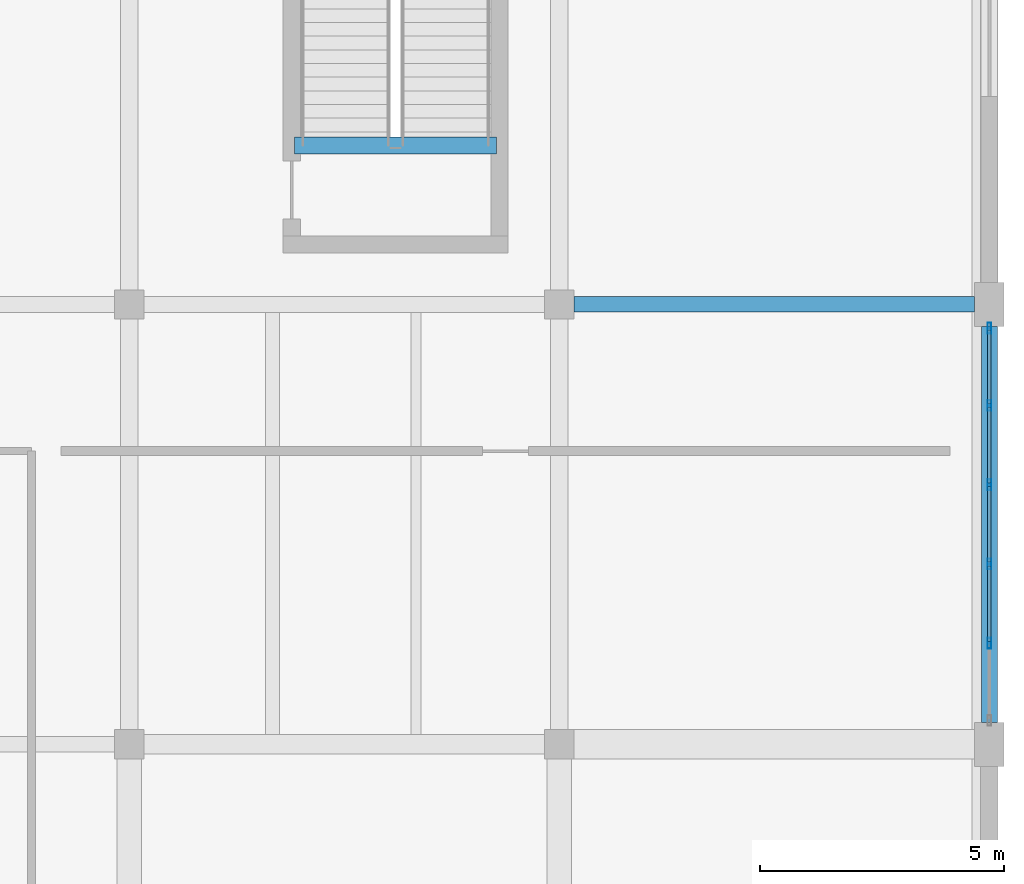
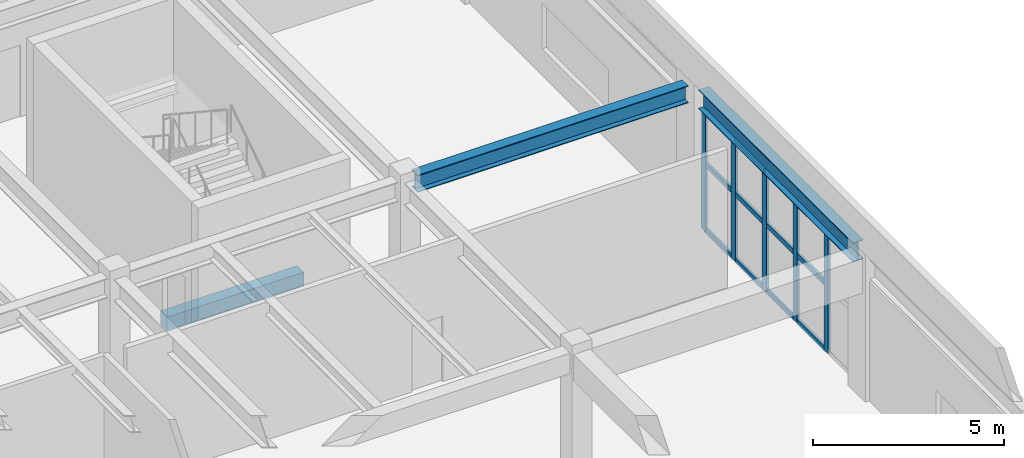
# One storey, part 55 of 96: 17 members, 3 beams, 1 element without a shape of its own.
"""IFC4 building model written with IfcOpenShell, lengths in metres."""

from ifc_helpers import new_model, si_unit, direction, frame, origin, origin_2d, place, context, subcontext, project, spatial, rectangle, hollow_rectangle, i_section, extrude, material, layer, layer_set, material_profile, profile_set, type_object, element, aggregate, save


model = new_model("IFC4")

# Units and contexts
model_context = context("Model", 3, precision=1e-05, world=origin(), true_north=direction((0.0, 1.0)))
body_context = subcontext(model_context, "Body", "Model", "MODEL_VIEW")
ifc_project = project(units=[si_unit("LENGTHUNIT", "METRE"), si_unit("AREAUNIT", "SQUARE_METRE"), si_unit("VOLUMEUNIT", "CUBIC_METRE"), si_unit("PLANEANGLEUNIT", "RADIAN"), si_unit("MASSUNIT", "GRAM", prefix="KILO")], contexts=[model_context])

# Site, building, storey
site_placement = place(None, origin())
site = spatial("IfcSite", under=ifc_project, at=site_placement, CompositionType="ELEMENT")
building_placement = place(site_placement, origin())
building = spatial("IfcBuilding", under=site, at=building_placement, Name="Vaelkrest Opera House", CompositionType="ELEMENT")
storey_placement = place(building_placement, frame((0.0, 0.0, 5.39990234375)))
storey = spatial("IfcBuildingStorey", under=building, at=storey_placement, Name="L01", CompositionType="ELEMENT", Elevation=5.39990234375)

# Beam
ifc_material_1 = material(Name="Steel A992 Gr50", Category="steel")
ifc_material_profile_1 = material_profile(ifc_material_1, i_section(OverallWidth=0.31494140625, OverallDepth=0.551025390625, WebThickness=0.01513671875, FlangeThickness=0.0244140625, at=origin_2d()), Name="W21X122")
ifc_profile_set_1 = profile_set([ifc_material_profile_1], Name="Steel A992 Gr50")
beam_type_1 = type_object("IfcBeamType", Name="B20", PredefinedType="BEAM", material=ifc_profile_set_1)
beam_1_placement = place(storey_placement, frame((77.89990234375, -19.800048828125, 4.2294921875), z_axis=(1.0, 0.0, 0.0), x_axis=(0.0, 1.0, 0.0)))
element("IfcBeam", 1, at=beam_1_placement, inside=storey, type_object=beam_type_1, Name="Beam BM-V4-L01-2132", PredefinedType="BEAM", context=body_context, shape_type="SweptSolid", body=[
    extrude(i_section(OverallWidth=0.31494140625, OverallDepth=0.551025390625, WebThickness=0.01513671875, FlangeThickness=0.0244140625, at=origin_2d()), origin(), (0.0, 0.0, 1.0), 8.2001953125),
])

# Curtain wall, members
ifc_material_2 = material(Name="Dark bronze anodized aluminium", Category="aluminium")
ifc_layer = layer(ifc_material_2, 0.199951171875)
ifc_layer_set = layer_set([ifc_layer], Name="Dark bronze anodized aluminium")
curtain_wall_type = type_object("IfcCurtainWallType", Name="CW03", PredefinedType="NOTDEFINED", material=ifc_layer_set)
curtain_wall_placement = place(storey_placement, origin())
curtain_wall = element("IfcCurtainWall", 2, at=curtain_wall_placement, inside=storey, type_object=curtain_wall_type, Name="Curtain wall CW-L01-160", PredefinedType="NOTDEFINED")
ifc_material_profile_2 = material_profile(ifc_material_2, hollow_rectangle(XDim=0.074951171875, YDim=0.219970703125, WallThickness=0.00439453125, at=origin_2d()), Name="CWM75X220")
ifc_profile_set_2 = profile_set([ifc_material_profile_2], Name="Dark bronze anodized aluminium")
member_type_1 = type_object("IfcMemberType", Name="CWM03", PredefinedType="MULLION", material=ifc_profile_set_2)
member_1_placement = place(storey_placement, frame((86.39990234375, -20.285400390625, 0.0), z_axis=(0.0, 0.0, 1.0), x_axis=(1.0, 0.0, 0.0)))
member_1 = element("IfcMember", 3, at=member_1_placement, type_object=member_type_1, Name="CW03 mullion 1", PredefinedType="MULLION", context=body_context, shape_type="SweptSolid", body=[
    extrude(hollow_rectangle(XDim=0.074951171875, YDim=0.219970703125, WallThickness=0.00439453125, at=origin_2d()), origin(), (0.0, 0.0, 1.0), 3.8291015625),
])
member_2_placement = place(storey_placement, frame((86.39990234375, -21.868896484375, 0.0), z_axis=(0.0, 0.0, 1.0), x_axis=(1.0, 0.0, 0.0)))
member_2 = element("IfcMember", 4, at=member_2_placement, type_object=member_type_1, Name="CW03 mullion 2", PredefinedType="MULLION", context=body_context, shape_type="SweptSolid", body=[
    extrude(hollow_rectangle(XDim=0.074951171875, YDim=0.219970703125, WallThickness=0.00439453125, at=origin_2d()), origin(), (0.0, 0.0, 1.0), 3.8291015625),
])
member_3_placement = place(storey_placement, frame((86.39990234375, -23.489501953125, 0.0), z_axis=(0.0, 0.0, 1.0), x_axis=(1.0, 0.0, 0.0)))
member_3 = element("IfcMember", 5, at=member_3_placement, type_object=member_type_1, Name="CW03 mullion 3", PredefinedType="MULLION", context=body_context, shape_type="SweptSolid", body=[
    extrude(hollow_rectangle(XDim=0.074951171875, YDim=0.219970703125, WallThickness=0.00439453125, at=origin_2d()), origin(), (0.0, 0.0, 1.0), 3.8291015625),
])
member_4_placement = place(storey_placement, frame((86.39990234375, -25.1103515625, 0.0), z_axis=(0.0, 0.0, 1.0), x_axis=(1.0, 0.0, 0.0)))
member_4 = element("IfcMember", 6, at=member_4_placement, type_object=member_type_1, Name="CW03 mullion 4", PredefinedType="MULLION", context=body_context, shape_type="SweptSolid", body=[
    extrude(hollow_rectangle(XDim=0.074951171875, YDim=0.219970703125, WallThickness=0.00439453125, at=origin_2d()), origin(), (0.0, 0.0, 1.0), 3.8291015625),
])
member_5_placement = place(storey_placement, frame((86.39990234375, -26.731201171875, 0.0), z_axis=(0.0, 0.0, 1.0), x_axis=(1.0, 0.0, 0.0)))
member_5 = element("IfcMember", 7, at=member_5_placement, type_object=member_type_1, Name="CW03 mullion 5", PredefinedType="MULLION", context=body_context, shape_type="SweptSolid", body=[
    extrude(hollow_rectangle(XDim=0.074951171875, YDim=0.219970703125, WallThickness=0.00439453125, at=origin_2d()), origin(), (0.0, 0.0, 1.0), 3.8291015625),
])
ifc_material_profile_3 = material_profile(ifc_material_2, hollow_rectangle(XDim=0.074951171875, YDim=0.159912109375, WallThickness=0.00439453125, at=origin_2d()), Name="CWT75X160")
ifc_profile_set_3 = profile_set([ifc_material_profile_3], Name="Dark bronze anodized aluminium")
member_type_2 = type_object("IfcMemberType", Name="CWT03", PredefinedType="USERDEFINED", material=ifc_profile_set_3)
member_6_placement = place(storey_placement, frame((86.39990234375, -20.322998046875, 0.03759765625), z_axis=(0.0, -1.0, 0.0), x_axis=(1.0, 0.0, 0.0)))
member_6 = element("IfcMember", 8, at=member_6_placement, type_object=member_type_2, Name="CW03 transom 1.1", ObjectType="TRANSOM", PredefinedType="USERDEFINED", context=body_context, shape_type="SweptSolid", body=[
    extrude(hollow_rectangle(XDim=0.074951171875, YDim=0.159912109375, WallThickness=0.00439453125, at=origin_2d()), origin(), (0.0, 0.0, 1.0), 1.50830078125),
])
member_7_placement = place(storey_placement, frame((86.39990234375, -20.322998046875, 2.150146484375), z_axis=(0.0, -1.0, 0.0), x_axis=(1.0, 0.0, 0.0)))
member_7 = element("IfcMember", 9, at=member_7_placement, type_object=member_type_2, Name="CW03 transom 1.2", ObjectType="TRANSOM", PredefinedType="USERDEFINED", context=body_context, shape_type="SweptSolid", body=[
    extrude(hollow_rectangle(XDim=0.074951171875, YDim=0.159912109375, WallThickness=0.00439453125, at=origin_2d()), origin(), (0.0, 0.0, 1.0), 1.50830078125),
])
member_8_placement = place(storey_placement, frame((86.39990234375, -20.322998046875, 3.79150390625), z_axis=(0.0, -1.0, 0.0), x_axis=(1.0, 0.0, 0.0)))
member_8 = element("IfcMember", 10, at=member_8_placement, type_object=member_type_2, Name="CW03 transom 1.3", ObjectType="TRANSOM", PredefinedType="USERDEFINED", context=body_context, shape_type="SweptSolid", body=[
    extrude(hollow_rectangle(XDim=0.074951171875, YDim=0.159912109375, WallThickness=0.00439453125, at=origin_2d()), origin(), (0.0, 0.0, 1.0), 1.50830078125),
])
member_9_placement = place(storey_placement, frame((86.39990234375, -21.90625, 0.03759765625), z_axis=(0.0, -1.0, 0.0), x_axis=(1.0, 0.0, 0.0)))
member_9 = element("IfcMember", 11, at=member_9_placement, type_object=member_type_2, Name="CW03 transom 2.1", ObjectType="TRANSOM", PredefinedType="USERDEFINED", context=body_context, shape_type="SweptSolid", body=[
    extrude(hollow_rectangle(XDim=0.074951171875, YDim=0.159912109375, WallThickness=0.00439453125, at=origin_2d()), origin(), (0.0, 0.0, 1.0), 1.5458984375),
])
member_10_placement = place(storey_placement, frame((86.39990234375, -21.90625, 2.150146484375), z_axis=(0.0, -1.0, 0.0), x_axis=(1.0, 0.0, 0.0)))
member_10 = element("IfcMember", 12, at=member_10_placement, type_object=member_type_2, Name="CW03 transom 2.2", ObjectType="TRANSOM", PredefinedType="USERDEFINED", context=body_context, shape_type="SweptSolid", body=[
    extrude(hollow_rectangle(XDim=0.074951171875, YDim=0.159912109375, WallThickness=0.00439453125, at=origin_2d()), origin(), (0.0, 0.0, 1.0), 1.5458984375),
])
member_11_placement = place(storey_placement, frame((86.39990234375, -21.90625, 3.79150390625), z_axis=(0.0, -1.0, 0.0), x_axis=(1.0, 0.0, 0.0)))
member_11 = element("IfcMember", 13, at=member_11_placement, type_object=member_type_2, Name="CW03 transom 2.3", ObjectType="TRANSOM", PredefinedType="USERDEFINED", context=body_context, shape_type="SweptSolid", body=[
    extrude(hollow_rectangle(XDim=0.074951171875, YDim=0.159912109375, WallThickness=0.00439453125, at=origin_2d()), origin(), (0.0, 0.0, 1.0), 1.5458984375),
])
member_12_placement = place(storey_placement, frame((86.39990234375, -23.527099609375, 0.03759765625), z_axis=(0.0, -1.0, 0.0), x_axis=(1.0, 0.0, 0.0)))
member_12 = element("IfcMember", 14, at=member_12_placement, type_object=member_type_2, Name="CW03 transom 3.1", ObjectType="TRANSOM", PredefinedType="USERDEFINED", context=body_context, shape_type="SweptSolid", body=[
    extrude(hollow_rectangle(XDim=0.074951171875, YDim=0.159912109375, WallThickness=0.00439453125, at=origin_2d()), origin(), (0.0, 0.0, 1.0), 1.5458984375),
])
member_13_placement = place(storey_placement, frame((86.39990234375, -23.527099609375, 2.150146484375), z_axis=(0.0, -1.0, 0.0), x_axis=(1.0, 0.0, 0.0)))
member_13 = element("IfcMember", 15, at=member_13_placement, type_object=member_type_2, Name="CW03 transom 3.2", ObjectType="TRANSOM", PredefinedType="USERDEFINED", context=body_context, shape_type="SweptSolid", body=[
    extrude(hollow_rectangle(XDim=0.074951171875, YDim=0.159912109375, WallThickness=0.00439453125, at=origin_2d()), origin(), (0.0, 0.0, 1.0), 1.5458984375),
])
member_14_placement = place(storey_placement, frame((86.39990234375, -23.527099609375, 3.79150390625), z_axis=(0.0, -1.0, 0.0), x_axis=(1.0, 0.0, 0.0)))
member_14 = element("IfcMember", 16, at=member_14_placement, type_object=member_type_2, Name="CW03 transom 3.3", ObjectType="TRANSOM", PredefinedType="USERDEFINED", context=body_context, shape_type="SweptSolid", body=[
    extrude(hollow_rectangle(XDim=0.074951171875, YDim=0.159912109375, WallThickness=0.00439453125, at=origin_2d()), origin(), (0.0, 0.0, 1.0), 1.5458984375),
])
member_15_placement = place(storey_placement, frame((86.39990234375, -25.14794921875, 0.03759765625), z_axis=(0.0, -1.0, 0.0), x_axis=(1.0, 0.0, 0.0)))
member_15 = element("IfcMember", 17, at=member_15_placement, type_object=member_type_2, Name="CW03 transom 4.1", ObjectType="TRANSOM", PredefinedType="USERDEFINED", context=body_context, shape_type="SweptSolid", body=[
    extrude(hollow_rectangle(XDim=0.074951171875, YDim=0.159912109375, WallThickness=0.00439453125, at=origin_2d()), origin(), (0.0, 0.0, 1.0), 1.545654296875),
])
member_16_placement = place(storey_placement, frame((86.39990234375, -25.14794921875, 2.150146484375), z_axis=(0.0, -1.0, 0.0), x_axis=(1.0, 0.0, 0.0)))
member_16 = element("IfcMember", 18, at=member_16_placement, type_object=member_type_2, Name="CW03 transom 4.2", ObjectType="TRANSOM", PredefinedType="USERDEFINED", context=body_context, shape_type="SweptSolid", body=[
    extrude(hollow_rectangle(XDim=0.074951171875, YDim=0.159912109375, WallThickness=0.00439453125, at=origin_2d()), origin(), (0.0, 0.0, 1.0), 1.545654296875),
])
member_17_placement = place(storey_placement, frame((86.39990234375, -25.14794921875, 3.79150390625), z_axis=(0.0, -1.0, 0.0), x_axis=(1.0, 0.0, 0.0)))
member_17 = element("IfcMember", 19, at=member_17_placement, type_object=member_type_2, Name="CW03 transom 4.3", ObjectType="TRANSOM", PredefinedType="USERDEFINED", context=body_context, shape_type="SweptSolid", body=[
    extrude(hollow_rectangle(XDim=0.074951171875, YDim=0.159912109375, WallThickness=0.00439453125, at=origin_2d()), origin(), (0.0, 0.0, 1.0), 1.545654296875),
])
aggregate(curtain_wall, [member_1, member_2, member_3, member_4, member_5, member_6, member_7, member_8, member_9, member_10, member_11, member_12, member_13, member_14, member_15, member_16, member_17])

# Beams
ifc_material_3 = material(Name="Concrete C50/60", Category="concrete")
ifc_material_profile_4 = material_profile(ifc_material_3, rectangle(XDim=0.35009765625, YDim=0.449951171875, at=origin_2d()), Name="RCB350X450")
ifc_profile_set_4 = profile_set([ifc_material_profile_4], Name="Concrete C50/60")
beam_type_2 = type_object("IfcBeamType", Name="LN01", PredefinedType="LINTEL", material=ifc_profile_set_4)
beam_2_placement = place(storey_placement, frame((72.179931640625, -16.550048828125, -0.224853515625), z_axis=(1.0, 0.0, 0.0), x_axis=(0.0, 1.0, 0.0)))
element("IfcBeam", 20, at=beam_2_placement, inside=storey, type_object=beam_type_2, Name="Stairwell trimmer beam ST10 L01", PredefinedType="LINTEL", context=body_context, shape_type="SweptSolid", body=[
    extrude(rectangle(XDim=0.35009765625, YDim=0.449951171875, at=origin_2d()), origin(), (0.0, 0.0, 1.0), 4.14013671875),
])
ifc_material_profile_5 = material_profile(ifc_material_1, i_section(OverallWidth=0.323974609375, OverallDepth=0.611083984375, WebThickness=0.0126953125, FlangeThickness=0.01904296875, at=origin_2d()), Name="W24X104")
ifc_profile_set_5 = profile_set([ifc_material_profile_5], Name="Steel A992 Gr50")
beam_type_3 = type_object("IfcBeamType", Name="SP01", PredefinedType="SPANDREL", material=ifc_profile_set_5)
beam_3_placement = place(storey_placement, frame((86.39990234375, -28.35009765625, 4.19970703125), z_axis=(0.0, 1.0, 0.0), x_axis=(-1.0, 0.0, 0.0)))
element("IfcBeam", 21, at=beam_3_placement, inside=storey, type_object=beam_type_3, Name="Beam BM-V4-L01-2209", PredefinedType="SPANDREL", context=body_context, shape_type="SweptSolid", body=[
    extrude(i_section(OverallWidth=0.323974609375, OverallDepth=0.611083984375, WebThickness=0.0126953125, FlangeThickness=0.01904296875, at=origin_2d()), origin(), (0.0, 0.0, 1.0), 8.10009765625),
])

save(model, "model.ifc")
